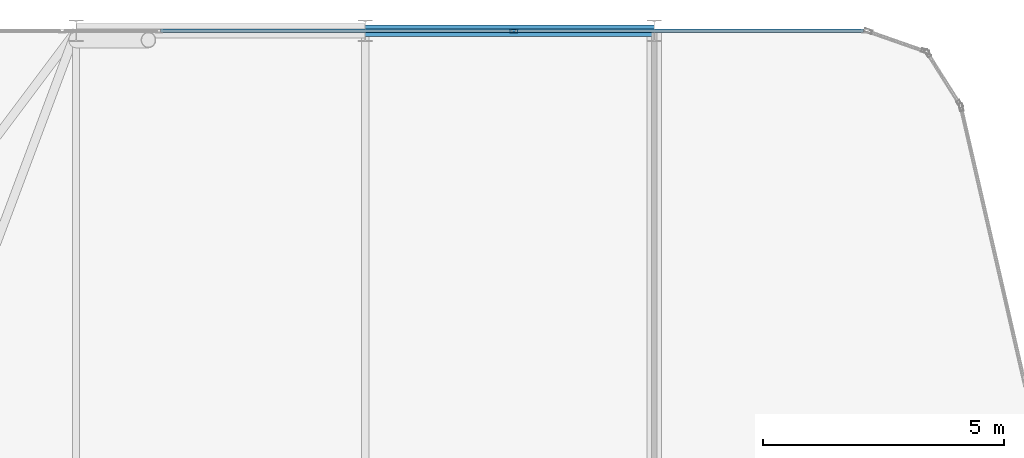
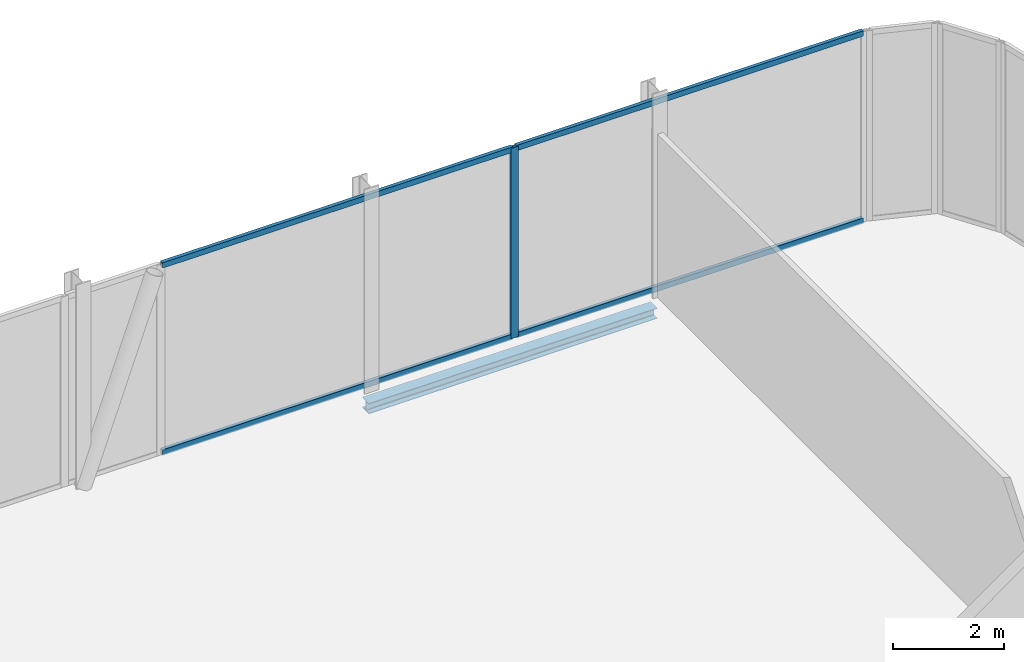
# One storey, part 21 of 31: 5 members, 1 beam, 1 element without a shape of its own.
"""IFC4 building model written with IfcOpenShell, lengths in metres."""

from ifc_helpers import new_model, si_unit, direction, frame, origin, origin_2d, place, context, subcontext, project, spatial, hollow_rectangle, i_section, extrude, material, layer, layer_set, material_profile, profile_set, type_object, element, aggregate, save


model = new_model("IFC4")

# Units and contexts
model_context = context("Model", 3, precision=1e-05, world=origin(), true_north=direction((0.0, 1.0)))
body_context = subcontext(model_context, "Body", "Model", "MODEL_VIEW")
ifc_project = project(units=[si_unit("LENGTHUNIT", "METRE"), si_unit("AREAUNIT", "SQUARE_METRE"), si_unit("VOLUMEUNIT", "CUBIC_METRE"), si_unit("PLANEANGLEUNIT", "RADIAN"), si_unit("MASSUNIT", "GRAM", prefix="KILO")], contexts=[model_context])

# Site, building, storey
site_placement = place(None, origin())
site = spatial("IfcSite", under=ifc_project, at=site_placement, CompositionType="ELEMENT")
building_placement = place(site_placement, origin())
building = spatial("IfcBuilding", under=site, at=building_placement, Name="Keshet Zoharim Tower", CompositionType="ELEMENT")
storey_placement = place(building_placement, frame((0.0, 0.0, 183.89990234375)))
storey = spatial("IfcBuildingStorey", under=building, at=storey_placement, Name="L45", CompositionType="ELEMENT", Elevation=183.89990234375)

# Beam
ifc_material_1 = material(Name="Steel S355", Category="steel")
ifc_material_profile_1 = material_profile(ifc_material_1, i_section(OverallWidth=0.239990234375, OverallDepth=0.22998046875, WebThickness=0.007568359375, FlangeThickness=0.011962890625, FilletRadius=0.02099609375, at=origin_2d()), Name="HEA240")
ifc_profile_set_1 = profile_set([ifc_material_profile_1], Name="Steel S355")
beam_type = type_object("IfcBeamType", Name="BM-LNT-HA240", PredefinedType="LINTEL", material=ifc_profile_set_1)
beam_placement = place(storey_placement, frame((27.0, 53.89990234375, -0.434814453125), z_axis=(1.0, 0.0, 0.0), x_axis=(0.0, 1.0, 0.0)))
element("IfcBeam", 1, at=beam_placement, inside=storey, type_object=beam_type, Name="L45 Primary Girder X-020", PredefinedType="LINTEL", context=body_context, shape_type="SweptSolid", body=[
    extrude(i_section(OverallWidth=0.239990234375, OverallDepth=0.22998046875, WebThickness=0.007568359375, FlangeThickness=0.011962890625, FilletRadius=0.02099609375, at=origin_2d()), origin(), (0.0, 0.0, 1.0), 6.0),
])

# Curtain wall, members
ifc_material_2 = material(Name="Aluminium 6063-T6", Category="aluminium")
ifc_layer = layer(ifc_material_2, 0.139892578125)
ifc_layer_set = layer_set([ifc_layer], Name="Aluminium 6063-T6")
curtain_wall_type = type_object("IfcCurtainWallType", Name="CW-SYS-05", PredefinedType="NOTDEFINED", material=ifc_layer_set)
curtain_wall_placement = place(storey_placement, origin())
curtain_wall = element("IfcCurtainWall", 2, at=curtain_wall_placement, inside=storey, type_object=curtain_wall_type, Name="L45 Unitised Curtain Wall 01 Part 3", PredefinedType="NOTDEFINED")
ifc_material_profile_2 = material_profile(ifc_material_2, hollow_rectangle(XDim=0.074951171875, YDim=0.159912109375, WallThickness=0.00390625, at=origin_2d()), Name="MUL-75x160")
ifc_profile_set_2 = profile_set([ifc_material_profile_2], Name="Aluminium 6063-T6")
member_type_1 = type_object("IfcMemberType", Name="CWM-M15", PredefinedType="MULLION", material=ifc_profile_set_2)
member_1_placement = place(storey_placement, frame((30.080810546875, 53.89990234375, 0.0), z_axis=(0.0, 0.0, 1.0), x_axis=(0.0, 1.0, 0.0)))
member_1 = element("IfcMember", 3, at=member_1_placement, type_object=member_type_1, Name="CW-05 mullion 2", PredefinedType="MULLION", context=body_context, shape_type="SweptSolid", body=[
    extrude(hollow_rectangle(XDim=0.074951171875, YDim=0.159912109375, WallThickness=0.00390625, at=origin_2d()), origin(), (0.0, 0.0, 1.0), 4.190185546875),
])
ifc_material_profile_3 = material_profile(ifc_material_2, hollow_rectangle(XDim=0.074951171875, YDim=0.1201171875, WallThickness=0.00390625, at=origin_2d()), Name="TRN-75x120")
ifc_profile_set_3 = profile_set([ifc_material_profile_3], Name="Aluminium 6063-T6")
member_type_2 = type_object("IfcMemberType", Name="CWT-T12", PredefinedType="USERDEFINED", material=ifc_profile_set_3)
member_2_placement = place(storey_placement, frame((22.75244140625, 53.89990234375, 0.03515625), z_axis=(1.0, 0.0, 0.0), x_axis=(0.0, 1.0, 0.0)))
member_2 = element("IfcMember", 4, at=member_2_placement, type_object=member_type_2, Name="CW-05 transom 1.1", ObjectType="TRANSOM", PredefinedType="USERDEFINED", context=body_context, shape_type="SweptSolid", body=[
    extrude(hollow_rectangle(XDim=0.074951171875, YDim=0.1201171875, WallThickness=0.00390625, at=origin_2d()), origin(), (0.0, 0.0, 1.0), 7.293212890625),
])
member_3_placement = place(storey_placement, frame((22.75244140625, 53.89990234375, 4.155029296875), z_axis=(1.0, 0.0, 0.0), x_axis=(0.0, 1.0, 0.0)))
member_3 = element("IfcMember", 5, at=member_3_placement, type_object=member_type_2, Name="CW-05 transom 1.2", ObjectType="TRANSOM", PredefinedType="USERDEFINED", context=body_context, shape_type="SweptSolid", body=[
    extrude(hollow_rectangle(XDim=0.074951171875, YDim=0.1201171875, WallThickness=0.00390625, at=origin_2d()), origin(), (0.0, 0.0, 1.0), 7.293212890625),
])
member_4_placement = place(storey_placement, frame((30.11572265625, 53.89990234375, 0.03515625), z_axis=(1.0, 0.0, 0.0), x_axis=(0.0, 1.0, 0.0)))
member_4 = element("IfcMember", 6, at=member_4_placement, type_object=member_type_2, Name="CW-05 transom 2.1", ObjectType="TRANSOM", PredefinedType="USERDEFINED", context=body_context, shape_type="SweptSolid", body=[
    extrude(hollow_rectangle(XDim=0.074951171875, YDim=0.1201171875, WallThickness=0.00390625, at=origin_2d()), origin(), (0.0, 0.0, 1.0), 7.223388671875),
])
member_5_placement = place(storey_placement, frame((30.11572265625, 53.89990234375, 4.155029296875), z_axis=(1.0, 0.0, 0.0), x_axis=(0.0, 1.0, 0.0)))
member_5 = element("IfcMember", 7, at=member_5_placement, type_object=member_type_2, Name="CW-05 transom 2.2", ObjectType="TRANSOM", PredefinedType="USERDEFINED", context=body_context, shape_type="SweptSolid", body=[
    extrude(hollow_rectangle(XDim=0.074951171875, YDim=0.1201171875, WallThickness=0.00390625, at=origin_2d()), origin(), (0.0, 0.0, 1.0), 7.223388671875),
])
aggregate(curtain_wall, [member_1, member_2, member_3, member_4, member_5])

save(model, "model.ifc")
